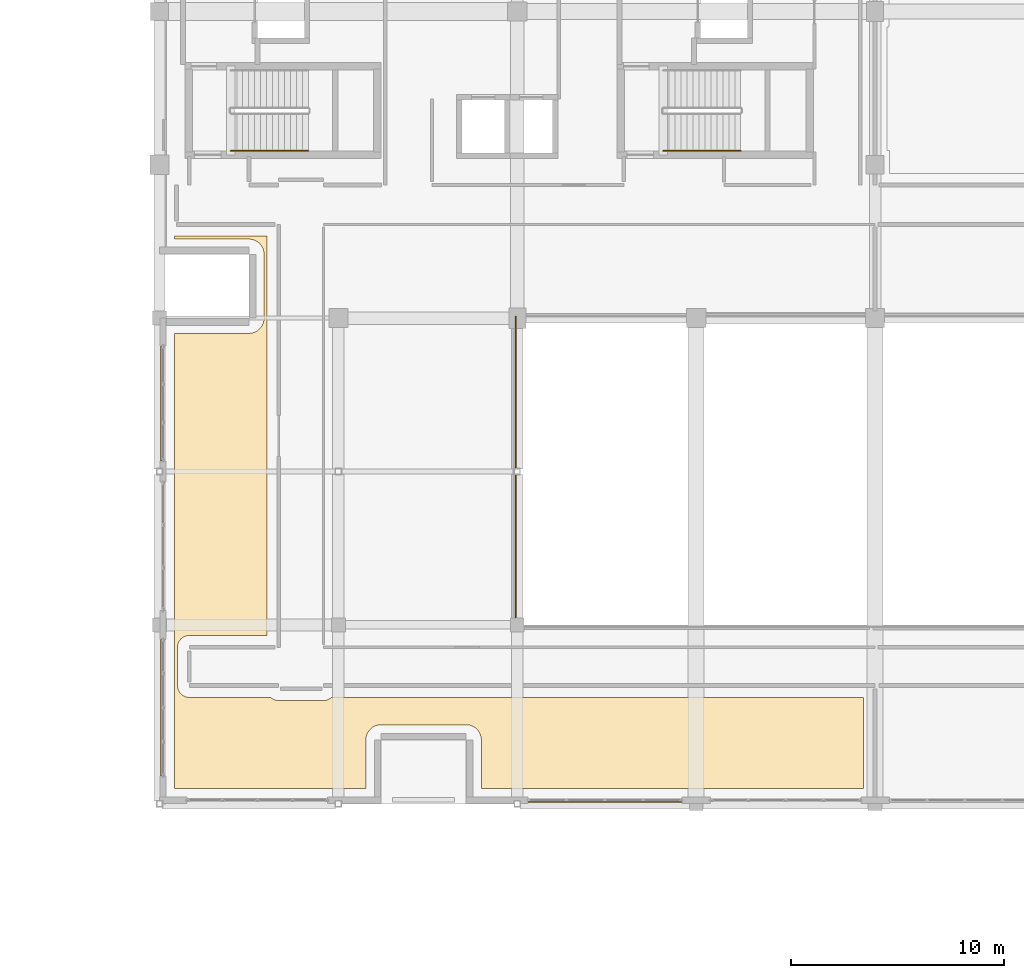
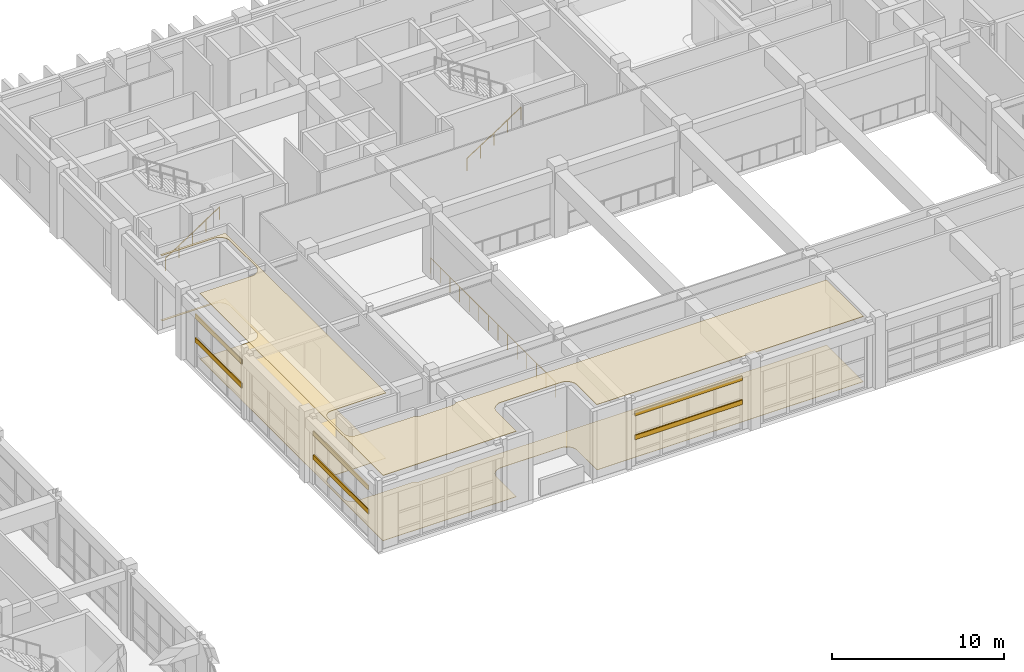
# One storey, part 72 of 78: 6 shading devices, 3 railings, 2 coverings.
"""IFC4 building model written with IfcOpenShell, lengths in metres."""

import ifcopenshell
import ifcopenshell.guid

model = None  # the IFC model being written
_history = None  # IfcOwnerHistory: only IFC2X3 demands one
_inside = {}  # id of a spatial element -> (the spatial element, [elements in it])
_under = {}  # id of a project, library or spatial element -> (it, [spatial elements below it])
_declared = {}  # id of a project -> (the project, [libraries it declares])
_typed = {}  # id of a type object -> (the type object, [elements of that type])
_made_of = {}  # id of a material, layer set ... -> (it, [elements and type objects made of it])


def new_model(schema):
    """Start an empty IFC model of exactly this schema.

    Asked for "IFC4X3", IfcOpenShell would pick the latest addendum, in which some entities
    have other attributes; the version numbers below select the first issue.
    IFC2X3 requires an IfcOwnerHistory on every rooted entity: one is made here for all.
    """
    global model, _history
    if schema == "IFC4X3":
        model = ifcopenshell.file(schema_version=(4, 3, 0, 0))
    else:
        model = ifcopenshell.file(schema=schema)
    _inside.clear()
    _under.clear()
    _declared.clear()
    _typed.clear()
    _made_of.clear()
    _history = None
    if model.schema == "IFC2X3":
        org = make("IfcOrganization", Name="unknown")
        user = make(
            "IfcPersonAndOrganization",
            ThePerson=make("IfcPerson", FamilyName="unknown"),
            TheOrganization=org,
        )
        app = make(
            "IfcApplication",
            ApplicationDeveloper=org,
            Version="unknown",
            ApplicationFullName="unknown",
            ApplicationIdentifier="unknown",
        )
        _history = make(
            "IfcOwnerHistory",
            OwningUser=user,
            OwningApplication=app,
            ChangeAction="ADDED",
            CreationDate=0,
        )
    return model


def make(cls, **values):
    """One entity of the class cls with the attributes given. An attribute that is None is left unset."""
    return model.create_entity(
        cls, **{name: value for name, value in values.items() if value is not None}
    )


def rooted(cls, **values):
    """An entity with a GlobalId (a new one), such as an element, a storey or a relation."""
    return make(cls, GlobalId=ifcopenshell.guid.new(), OwnerHistory=_history, **values)


def si_unit(unit_type, name, prefix=None):
    """IfcSIUnit, for example si_unit("LENGTHUNIT", "METRE", prefix="MILLI")."""
    return make("IfcSIUnit", UnitType=unit_type, Prefix=prefix, Name=name)


def assignment(units):
    """IfcUnitAssignment: the units of a project."""
    return None if units is None else make("IfcUnitAssignment", Units=units)


def point(xyz):
    """IfcCartesianPoint."""
    return None if xyz is None else make("IfcCartesianPoint", Coordinates=xyz)


def direction(xyz):
    """IfcDirection."""
    return None if xyz is None else make("IfcDirection", DirectionRatios=xyz)


def frame(location, z_axis=None, x_axis=None):
    """IfcAxis2Placement3D, a coordinate frame: its origin and axes. An axis left out is left unset."""
    return make(
        "IfcAxis2Placement3D",
        Location=point(location),
        Axis=direction(z_axis),
        RefDirection=direction(x_axis),
    )


def frame_2d(location, x_axis=None):
    """IfcAxis2Placement2D, a coordinate frame in the plane: its origin and x axis."""
    return make(
        "IfcAxis2Placement2D", Location=point(location), RefDirection=direction(x_axis)
    )


def origin():
    """The frame at (0, 0, 0) with its axes left unset."""
    return frame((0.0, 0.0, 0.0))


def origin_2d():
    """The frame at (0, 0) in the plane with its x axis left unset."""
    return frame_2d((0.0, 0.0))


def place(relative_to, where):
    """IfcLocalPlacement: puts the frame where relative to a parent placement (None: the world)."""
    return make(
        "IfcLocalPlacement", PlacementRelTo=relative_to, RelativePlacement=where
    )


def context(
    kind, dimensions, precision=None, world=None, true_north=None, identifier=None
):
    """IfcGeometricRepresentationContext, for example the 3D "Model" context."""
    return make(
        "IfcGeometricRepresentationContext",
        ContextIdentifier=identifier,
        ContextType=kind,
        CoordinateSpaceDimension=dimensions,
        Precision=precision,
        WorldCoordinateSystem=world,
        TrueNorth=true_north,
    )


def subcontext(parent, identifier, kind, view, scale=None):
    """IfcGeometricRepresentationSubContext, for example "Body" below "Model"."""
    return make(
        "IfcGeometricRepresentationSubContext",
        ContextIdentifier=identifier,
        ContextType=kind,
        ParentContext=parent,
        TargetScale=scale,
        TargetView=view,
    )


def project(units=None, contexts=None):
    """IfcProject with its units and contexts."""
    return rooted(
        "IfcProject",
        Name="project",
        RepresentationContexts=contexts,
        UnitsInContext=assignment(units),
    )


def spatial(cls, under=None, at=None, **own):
    """A site, building, storey or space (cls), placed at a placement, below another one or the project."""
    s = rooted(cls, ObjectPlacement=at, **own)
    if under is not None:
        _under.setdefault(under.id(), (under, []))[1].append(s)
    return s


def polyline(points):
    """IfcPolyline through the points."""
    return make("IfcPolyline", Points=[point(p) for p in points])


def profile(cls, at=None, kind="AREA", **sizes):
    """A parametric profile (cls). Its sizes go by their IFC names, for example OverallWidth=200.0."""
    return make(cls, ProfileType=kind, Position=at, **sizes)


def hollow_rectangle(**sizes):
    """IfcRectangleHollowProfileDef."""
    return profile("IfcRectangleHollowProfileDef", **sizes)


def circle(**sizes):
    """IfcCircleProfileDef."""
    return profile("IfcCircleProfileDef", **sizes)


def outline(outer, holes=None, kind="AREA"):
    """IfcArbitraryClosedProfileDef: a profile drawn as a closed curve; with holes, ...WithVoids."""
    if holes is None:
        return make("IfcArbitraryClosedProfileDef", ProfileType=kind, OuterCurve=outer)
    return make(
        "IfcArbitraryProfileDefWithVoids",
        ProfileType=kind,
        OuterCurve=outer,
        InnerCurves=holes,
    )


def extrude(swept, where, along, depth):
    """IfcExtrudedAreaSolid: the profile swept, set in the frame where, extruded along a direction by depth."""
    return make(
        "IfcExtrudedAreaSolid",
        SweptArea=swept,
        Position=where,
        ExtrudedDirection=direction(along),
        Depth=depth,
    )


def shape(context_of_items, identifier, shape_type, items):
    """IfcShapeRepresentation: the items that make up one representation, for example the "Body"."""
    return make(
        "IfcShapeRepresentation",
        ContextOfItems=context_of_items,
        RepresentationIdentifier=identifier,
        RepresentationType=shape_type,
        Items=items,
    )


def material(Name=None, Category=None):
    """IfcMaterial."""
    return make("IfcMaterial", Name=Name, Category=Category)


def layer(
    of_material, thickness, ventilated=None, Name=None, Category=None, Priority=None
):
    """IfcMaterialLayer: one layer of a wall or slab, of a material (None: an air gap)."""
    return make(
        "IfcMaterialLayer",
        Material=of_material,
        LayerThickness=thickness,
        IsVentilated=ventilated,
        Name=Name,
        Category=Category,
        Priority=Priority,
    )


def layer_set(layers, Name=None):
    """IfcMaterialLayerSet."""
    return make("IfcMaterialLayerSet", MaterialLayers=layers, LayerSetName=Name)


def material_profile(
    of_material, cross_section, Name=None, Category=None, Priority=None
):
    """IfcMaterialProfile: a cross section and its material."""
    return make(
        "IfcMaterialProfile",
        Name=Name,
        Material=of_material,
        Profile=cross_section,
        Priority=Priority,
        Category=Category,
    )


def profile_set(profiles, Name=None, composite=None):
    """IfcMaterialProfileSet."""
    return make(
        "IfcMaterialProfileSet",
        Name=Name,
        MaterialProfiles=profiles,
        CompositeProfile=composite,
    )


def made_of(thing, what):
    """Note that an element or type object is made of a material, layer set ...; save() writes the relation."""
    if what is not None:
        _made_of.setdefault(what.id(), (what, []))[1].append(thing)
    return thing


def type_object(cls, material=None, **own):
    """A type object (cls), such as IfcWallType, which elements share."""
    return made_of(rooted(cls, **own), material)


def element(
    cls,
    number,
    at=None,
    inside=None,
    cuts=None,
    type_object=None,
    material=None,
    context=None,
    identifier="Body",
    shape_type=None,
    held_by="IfcProductDefinitionShape",
    body=None,
    shapes=None,
    **own,
):
    """One element of the class cls, such as IfcWall. Its Tag is "e" and its number.

    at: its placement. inside: the storey or other place that contains it. cuts: it is an
    opening in that element (IfcRelVoidsElement). A single representation is given by context,
    identifier, shape_type and body (its items); several are given by shapes. held_by: the class
    of the entity that holds the representations. save() writes the other relations.
    """
    e = rooted(cls, Tag="e%d" % number, ObjectPlacement=at, **own)
    if body is not None:
        shapes = [shape(context, identifier, shape_type, body)]
    if shapes is not None:
        e.Representation = make(held_by, Representations=shapes)
    if inside is not None:
        _inside.setdefault(inside.id(), (inside, []))[1].append(e)
    if cuts is not None:
        rooted(
            "IfcRelVoidsElement", RelatingBuildingElement=cuts, RelatedOpeningElement=e
        )
    if type_object is not None:
        _typed.setdefault(type_object.id(), (type_object, []))[1].append(e)
    return made_of(e, material)


def aggregate(whole, parts):
    """IfcRelAggregates: a whole, such as a stair, and the parts it consists of."""
    return rooted("IfcRelAggregates", RelatingObject=whole, RelatedObjects=parts)


def save(model, path):
    """Write the relations noted so far, then the file.

    IfcRelAggregates (storeys below a building ...), IfcRelContainedInSpatialStructure (elements
    in a storey), IfcRelDefinesByType, IfcRelAssociatesMaterial and IfcRelDeclares: one each for
    every whole, place, type object, material and project.
    """
    for whole, parts in _under.values():
        aggregate(whole, parts)
    for where, things in _inside.values():
        rooted(
            "IfcRelContainedInSpatialStructure",
            RelatedElements=things,
            RelatingStructure=where,
        )
    for kind, things in _typed.values():
        rooted("IfcRelDefinesByType", RelatedObjects=things, RelatingType=kind)
    for what, things in _made_of.values():
        rooted("IfcRelAssociatesMaterial", RelatedObjects=things, RelatingMaterial=what)
    for by, libraries in _declared.values():
        rooted("IfcRelDeclares", RelatingContext=by, RelatedDefinitions=libraries)
    model.write(path)


model = new_model("IFC4")

# Units and contexts
model_context = context("Model", 3, precision=1e-05, world=origin(), true_north=direction((0.0, 1.0)))
body_context = subcontext(model_context, "Body", "Model", "MODEL_VIEW")
ifc_project = project(units=[si_unit("LENGTHUNIT", "METRE"), si_unit("AREAUNIT", "SQUARE_METRE"), si_unit("VOLUMEUNIT", "CUBIC_METRE"), si_unit("PLANEANGLEUNIT", "RADIAN"), si_unit("MASSUNIT", "GRAM", prefix="KILO")], contexts=[model_context])

# Site, building, storey
site_placement = place(None, origin())
site = spatial("IfcSite", under=ifc_project, at=site_placement, CompositionType="ELEMENT")
building_placement = place(site_placement, origin())
building = spatial("IfcBuilding", under=site, at=building_placement, Name="Quendrovan Civic Courthouse", CompositionType="ELEMENT")
storey_placement = place(building_placement, frame((0.0, 0.0, 10.199951171875)))
storey = spatial("IfcBuildingStorey", under=building, at=storey_placement, Name="L03", CompositionType="ELEMENT", Elevation=10.199951171875)

# Coverings
ifc_material_1 = material(Name="Perforated Western Red Cedar and mineral acoustic ceiling")
ifc_layer_1 = layer(ifc_material_1, 0.034912109375, Name="Perforated Western Red Cedar and mineral acoustic ceiling")
ifc_layer_set_1 = layer_set([ifc_layer_1], Name="Perforated Western Red Cedar and mineral acoustic ceiling")
covering_type_1 = type_object("IfcCoveringType", Name="COV-CEIL-ACOUSTIC", PredefinedType="CEILING", material=ifc_layer_set_1)
covering_1_placement = place(storey_placement, frame((0.0, 0.0, 4.64501953125)))
element("IfcCovering", 1, at=covering_1_placement, inside=storey, type_object=covering_type_1, Name="L03 Criminal Courtroom Acoustic Ceiling", PredefinedType="CEILING", context=body_context, shape_type="SweptSolid", body=[
    extrude(outline(polyline([(43.527587890625, 68.32958984375), (43.515869140625, 68.319091796875), (43.48095703125, 68.2841796875), (43.47021484375, 68.2724609375), (43.433837890625, 68.22802734375), (43.424560546875, 68.215576171875), (43.3955078125, 68.171875), (43.38720703125, 68.158447265625), (43.361572265625, 68.110107421875), (43.354736328125, 68.095947265625), (43.33447265625, 68.046630859375), (43.3291015625, 68.03173828125), (43.313232421875, 67.979736328125), (43.3095703125, 67.964599609375), (43.299072265625, 67.911865234375), (43.296875, 67.896484375), (43.29150390625, 67.84375), (43.290771484375, 67.827880859375), (43.2900390625, 67.800048828125), (43.2900390625, 65.510009765625), (34.31005859375, 65.510009765625), (34.31005859375, 86.889892578125), (37.800048828125, 86.889892578125), (37.827880859375, 86.890625), (37.84375, 86.8916015625), (37.896484375, 86.896728515625), (37.911865234375, 86.899169921875), (37.964599609375, 86.909423828125), (37.979736328125, 86.913330078125), (38.03173828125, 86.92919921875), (38.046630859375, 86.934326171875), (38.095947265625, 86.954833984375), (38.110107421875, 86.96142578125), (38.158447265625, 86.9873046875), (38.171875, 86.995361328125), (38.215576171875, 87.0244140625), (38.22802734375, 87.03369140625), (38.2724609375, 87.0703125), (38.2841796875, 87.080810546875), (38.319091796875, 87.115966796875), (38.32958984375, 87.12744140625), (38.3662109375, 87.171875), (38.37548828125, 87.1845703125), (38.404541015625, 87.22802734375), (38.41259765625, 87.24169921875), (38.4384765625, 87.289794921875), (38.4453125, 87.30419921875), (38.465576171875, 87.353515625), (38.470947265625, 87.3681640625), (38.48681640625, 87.420166015625), (38.490478515625, 87.435302734375), (38.5009765625, 87.488037109375), (38.503173828125, 87.503662109375), (38.508544921875, 87.556396484375), (38.50927734375, 87.572021484375), (38.510009765625, 87.60009765625), (38.510009765625, 90.60009765625), (38.50927734375, 90.6279296875), (38.508544921875, 90.643798828125), (38.503173828125, 90.6962890625), (38.5009765625, 90.7119140625), (38.490478515625, 90.7646484375), (38.48681640625, 90.77978515625), (38.470947265625, 90.831787109375), (38.465576171875, 90.8466796875), (38.4453125, 90.89599609375), (38.4384765625, 90.91015625), (38.41259765625, 90.95849609375), (38.404541015625, 90.971923828125), (38.37548828125, 91.015380859375), (38.3662109375, 91.028076171875), (38.32958984375, 91.072509765625), (38.319091796875, 91.083984375), (38.2841796875, 91.119140625), (38.2724609375, 91.129638671875), (38.22802734375, 91.166259765625), (38.215576171875, 91.175537109375), (38.171875, 91.20458984375), (38.158447265625, 91.212646484375), (38.110107421875, 91.238525390625), (38.095947265625, 91.2451171875), (38.046630859375, 91.265625), (38.03173828125, 91.27099609375), (37.979736328125, 91.28662109375), (37.964599609375, 91.29052734375), (37.911865234375, 91.30078125), (37.896484375, 91.30322265625), (37.84375, 91.30859375), (37.827880859375, 91.309326171875), (37.800048828125, 91.31005859375), (34.31005859375, 91.31005859375), (34.31005859375, 91.4580078125), (34.34619140625, 91.45263671875), (34.39990234375, 91.449951171875), (38.64990234375, 91.449951171875), (38.64990234375, 72.699951171875), (35.0, 72.699951171875), (34.946044921875, 72.697509765625), (34.892578125, 72.689453125), (34.84033203125, 72.67626953125), (34.78955078125, 72.658203125), (34.74072265625, 72.635009765625), (34.6943359375, 72.607421875), (34.651123046875, 72.5751953125), (34.611083984375, 72.538818359375), (34.57470703125, 72.498779296875), (34.542724609375, 72.45556640625), (34.514892578125, 72.4091796875), (34.491943359375, 72.360595703125), (34.4736328125, 72.309814453125), (34.460693359375, 72.25732421875), (34.45263671875, 72.203857421875), (34.449951171875, 72.14990234375), (34.449951171875, 70.35009765625), (34.45263671875, 70.296142578125), (34.460693359375, 70.24267578125), (34.4736328125, 70.190185546875), (34.491943359375, 70.139404296875), (34.514892578125, 70.0908203125), (34.542724609375, 70.04443359375), (34.57470703125, 70.001220703125), (34.611083984375, 69.961181640625), (34.651123046875, 69.9248046875), (34.6943359375, 69.892578125), (34.74072265625, 69.864990234375), (34.78955078125, 69.841796875), (34.84033203125, 69.82373046875), (34.892578125, 69.810546875), (34.946044921875, 69.802490234375), (35.0, 69.800048828125), (38.8232421875, 69.800048828125), (38.85107421875, 69.77490234375), (38.894287109375, 69.74267578125), (38.940673828125, 69.71484375), (38.989501953125, 69.69189453125), (39.040283203125, 69.673583984375), (39.0927734375, 69.66064453125), (39.14599609375, 69.652587890625), (39.199951171875, 69.64990234375), (41.300048828125, 69.64990234375), (41.35400390625, 69.652587890625), (41.4072265625, 69.66064453125), (41.459716796875, 69.673583984375), (41.510498046875, 69.69189453125), (41.559326171875, 69.71484375), (41.605712890625, 69.74267578125), (41.64892578125, 69.77490234375), (41.6767578125, 69.800048828125), (66.64990234375, 69.800048828125), (66.64990234375, 65.510009765625), (48.7099609375, 65.510009765625), (48.7099609375, 67.800048828125), (48.709228515625, 67.827880859375), (48.70849609375, 67.84375), (48.703125, 67.896484375), (48.700927734375, 67.911865234375), (48.6904296875, 67.964599609375), (48.686767578125, 67.979736328125), (48.6708984375, 68.03173828125), (48.66552734375, 68.046630859375), (48.645263671875, 68.095947265625), (48.638427734375, 68.110107421875), (48.61279296875, 68.158447265625), (48.6044921875, 68.171875), (48.575439453125, 68.215576171875), (48.566162109375, 68.22802734375), (48.52978515625, 68.2724609375), (48.51904296875, 68.2841796875), (48.484130859375, 68.319091796875), (48.472412109375, 68.32958984375), (48.427978515625, 68.3662109375), (48.41552734375, 68.37548828125), (48.371826171875, 68.404541015625), (48.3583984375, 68.41259765625), (48.31005859375, 68.4384765625), (48.2958984375, 68.4453125), (48.24658203125, 68.465576171875), (48.231689453125, 68.470947265625), (48.1796875, 68.48681640625), (48.16455078125, 68.490478515625), (48.11181640625, 68.5009765625), (48.096435546875, 68.503173828125), (48.043701171875, 68.508544921875), (48.028076171875, 68.50927734375), (48.0, 68.510009765625), (44.0, 68.510009765625), (43.971923828125, 68.50927734375), (43.956298828125, 68.508544921875), (43.903564453125, 68.503173828125), (43.88818359375, 68.5009765625), (43.83544921875, 68.490478515625), (43.8203125, 68.48681640625), (43.768310546875, 68.470947265625), (43.75341796875, 68.465576171875), (43.7041015625, 68.4453125), (43.68994140625, 68.4384765625), (43.6416015625, 68.41259765625), (43.628173828125, 68.404541015625), (43.58447265625, 68.37548828125), (43.572021484375, 68.3662109375), (43.527587890625, 68.32958984375)])), origin(), (0.0, 0.0, 1.0), 0.034912109375),
])
ifc_material_2 = material(Name="Solid oak courtroom parquet flooring")
ifc_layer_2 = layer(ifc_material_2, 0.02490234375, Name="Solid oak courtroom parquet flooring")
ifc_layer_set_2 = layer_set([ifc_layer_2], Name="Solid oak courtroom parquet flooring")
covering_type_2 = type_object("IfcCoveringType", Name="COV-FLOR-TIMBER", PredefinedType="FLOORING", material=ifc_layer_set_2)
covering_2_placement = place(storey_placement, origin())
element("IfcCovering", 2, at=covering_2_placement, inside=storey, type_object=covering_type_2, Name="L03 Criminal Courtroom Finish Flooring", PredefinedType="FLOORING", context=body_context, shape_type="SweptSolid", body=[
    extrude(outline(polyline([(43.527587890625, 68.32958984375), (43.515869140625, 68.319091796875), (43.48095703125, 68.2841796875), (43.47021484375, 68.2724609375), (43.433837890625, 68.22802734375), (43.424560546875, 68.215576171875), (43.3955078125, 68.171875), (43.38720703125, 68.158447265625), (43.361572265625, 68.110107421875), (43.354736328125, 68.095947265625), (43.33447265625, 68.046630859375), (43.3291015625, 68.03173828125), (43.313232421875, 67.979736328125), (43.3095703125, 67.964599609375), (43.299072265625, 67.911865234375), (43.296875, 67.896484375), (43.29150390625, 67.84375), (43.290771484375, 67.827880859375), (43.2900390625, 67.800048828125), (43.2900390625, 65.510009765625), (34.31005859375, 65.510009765625), (34.31005859375, 86.889892578125), (37.800048828125, 86.889892578125), (37.827880859375, 86.890625), (37.84375, 86.8916015625), (37.896484375, 86.896728515625), (37.911865234375, 86.899169921875), (37.964599609375, 86.909423828125), (37.979736328125, 86.913330078125), (38.03173828125, 86.92919921875), (38.046630859375, 86.934326171875), (38.095947265625, 86.954833984375), (38.110107421875, 86.96142578125), (38.158447265625, 86.9873046875), (38.171875, 86.995361328125), (38.215576171875, 87.0244140625), (38.22802734375, 87.03369140625), (38.2724609375, 87.0703125), (38.2841796875, 87.080810546875), (38.319091796875, 87.115966796875), (38.32958984375, 87.12744140625), (38.3662109375, 87.171875), (38.37548828125, 87.1845703125), (38.404541015625, 87.22802734375), (38.41259765625, 87.24169921875), (38.4384765625, 87.289794921875), (38.4453125, 87.30419921875), (38.465576171875, 87.353515625), (38.470947265625, 87.3681640625), (38.48681640625, 87.420166015625), (38.490478515625, 87.435302734375), (38.5009765625, 87.488037109375), (38.503173828125, 87.503662109375), (38.508544921875, 87.556396484375), (38.50927734375, 87.572021484375), (38.510009765625, 87.60009765625), (38.510009765625, 90.60009765625), (38.50927734375, 90.6279296875), (38.508544921875, 90.643798828125), (38.503173828125, 90.6962890625), (38.5009765625, 90.7119140625), (38.490478515625, 90.7646484375), (38.48681640625, 90.77978515625), (38.470947265625, 90.831787109375), (38.465576171875, 90.8466796875), (38.4453125, 90.89599609375), (38.4384765625, 90.91015625), (38.41259765625, 90.95849609375), (38.404541015625, 90.971923828125), (38.37548828125, 91.015380859375), (38.3662109375, 91.028076171875), (38.32958984375, 91.072509765625), (38.319091796875, 91.083984375), (38.2841796875, 91.119140625), (38.2724609375, 91.129638671875), (38.22802734375, 91.166259765625), (38.215576171875, 91.175537109375), (38.171875, 91.20458984375), (38.158447265625, 91.212646484375), (38.110107421875, 91.238525390625), (38.095947265625, 91.2451171875), (38.046630859375, 91.265625), (38.03173828125, 91.27099609375), (37.979736328125, 91.28662109375), (37.964599609375, 91.29052734375), (37.911865234375, 91.30078125), (37.896484375, 91.30322265625), (37.84375, 91.30859375), (37.827880859375, 91.309326171875), (37.800048828125, 91.31005859375), (34.31005859375, 91.31005859375), (34.31005859375, 91.4580078125), (34.34619140625, 91.45263671875), (34.39990234375, 91.449951171875), (38.64990234375, 91.449951171875), (38.64990234375, 72.699951171875), (35.0, 72.699951171875), (34.946044921875, 72.697509765625), (34.892578125, 72.689453125), (34.84033203125, 72.67626953125), (34.78955078125, 72.658203125), (34.74072265625, 72.635009765625), (34.6943359375, 72.607421875), (34.651123046875, 72.5751953125), (34.611083984375, 72.538818359375), (34.57470703125, 72.498779296875), (34.542724609375, 72.45556640625), (34.514892578125, 72.4091796875), (34.491943359375, 72.360595703125), (34.4736328125, 72.309814453125), (34.460693359375, 72.25732421875), (34.45263671875, 72.203857421875), (34.449951171875, 72.14990234375), (34.449951171875, 70.35009765625), (34.45263671875, 70.296142578125), (34.460693359375, 70.24267578125), (34.4736328125, 70.190185546875), (34.491943359375, 70.139404296875), (34.514892578125, 70.0908203125), (34.542724609375, 70.04443359375), (34.57470703125, 70.001220703125), (34.611083984375, 69.961181640625), (34.651123046875, 69.9248046875), (34.6943359375, 69.892578125), (34.74072265625, 69.864990234375), (34.78955078125, 69.841796875), (34.84033203125, 69.82373046875), (34.892578125, 69.810546875), (34.946044921875, 69.802490234375), (35.0, 69.800048828125), (38.8232421875, 69.800048828125), (38.85107421875, 69.77490234375), (38.894287109375, 69.74267578125), (38.940673828125, 69.71484375), (38.989501953125, 69.69189453125), (39.040283203125, 69.673583984375), (39.0927734375, 69.66064453125), (39.14599609375, 69.652587890625), (39.199951171875, 69.64990234375), (41.300048828125, 69.64990234375), (41.35400390625, 69.652587890625), (41.4072265625, 69.66064453125), (41.459716796875, 69.673583984375), (41.510498046875, 69.69189453125), (41.559326171875, 69.71484375), (41.605712890625, 69.74267578125), (41.64892578125, 69.77490234375), (41.6767578125, 69.800048828125), (66.64990234375, 69.800048828125), (66.64990234375, 65.510009765625), (48.7099609375, 65.510009765625), (48.7099609375, 67.800048828125), (48.709228515625, 67.827880859375), (48.70849609375, 67.84375), (48.703125, 67.896484375), (48.700927734375, 67.911865234375), (48.6904296875, 67.964599609375), (48.686767578125, 67.979736328125), (48.6708984375, 68.03173828125), (48.66552734375, 68.046630859375), (48.645263671875, 68.095947265625), (48.638427734375, 68.110107421875), (48.61279296875, 68.158447265625), (48.6044921875, 68.171875), (48.575439453125, 68.215576171875), (48.566162109375, 68.22802734375), (48.52978515625, 68.2724609375), (48.51904296875, 68.2841796875), (48.484130859375, 68.319091796875), (48.472412109375, 68.32958984375), (48.427978515625, 68.3662109375), (48.41552734375, 68.37548828125), (48.371826171875, 68.404541015625), (48.3583984375, 68.41259765625), (48.31005859375, 68.4384765625), (48.2958984375, 68.4453125), (48.24658203125, 68.465576171875), (48.231689453125, 68.470947265625), (48.1796875, 68.48681640625), (48.16455078125, 68.490478515625), (48.11181640625, 68.5009765625), (48.096435546875, 68.503173828125), (48.043701171875, 68.508544921875), (48.028076171875, 68.50927734375), (48.0, 68.510009765625), (44.0, 68.510009765625), (43.971923828125, 68.50927734375), (43.956298828125, 68.508544921875), (43.903564453125, 68.503173828125), (43.88818359375, 68.5009765625), (43.83544921875, 68.490478515625), (43.8203125, 68.48681640625), (43.768310546875, 68.470947265625), (43.75341796875, 68.465576171875), (43.7041015625, 68.4453125), (43.68994140625, 68.4384765625), (43.6416015625, 68.41259765625), (43.628173828125, 68.404541015625), (43.58447265625, 68.37548828125), (43.572021484375, 68.3662109375), (43.527587890625, 68.32958984375)])), origin(), (0.0, 0.0, 1.0), 0.025146484375),
])

# Railings
ifc_material_3 = material(Name="Bronze anodised aluminium", Category="aluminium")
railing_type_1 = type_object("IfcRailingType", Name="RL-ATR-GUARD1100", PredefinedType="GUARDRAIL", material=ifc_material_3)
railing_1_placement = place(storey_placement, frame((50.320068359375, 87.679931640625, 0.0)))
element("IfcRailing", 3, at=railing_1_placement, inside=storey, type_object=railing_type_1, Name="L03 Atrium and Well Perimeter Guardrail 023", PredefinedType="GUARDRAIL", context=body_context, shape_type="SweptSolid", body=[
    extrude(circle(Radius=0.02392578125, at=origin_2d()), frame((0.0, 0.0, 1.09619140625), z_axis=(0.0, -1.0, 0.0), x_axis=(1.0, 0.0, 0.0)), (0.0, 0.0, 1.0), 14.559814453125),
    extrude(circle(Radius=0.02099609375, at=origin_2d()), origin(), (0.0, 0.0, 1.0), 1.072021484375),
    extrude(circle(Radius=0.02099609375, at=origin_2d()), frame((0.0, -1.119873046875, 0.0)), (0.0, 0.0, 1.0), 1.072021484375),
    extrude(circle(Radius=0.02099609375, at=origin_2d()), frame((0.0, -2.239990234375, 0.0)), (0.0, 0.0, 1.0), 1.072021484375),
    extrude(circle(Radius=0.02099609375, at=origin_2d()), frame((0.0, -3.35986328125, 0.0)), (0.0, 0.0, 1.0), 1.072021484375),
    extrude(circle(Radius=0.02099609375, at=origin_2d()), frame((0.0, -4.47998046875, 0.0)), (0.0, 0.0, 1.0), 1.072021484375),
    extrude(circle(Radius=0.02099609375, at=origin_2d()), frame((0.0, -5.599853515625, 0.0)), (0.0, 0.0, 1.0), 1.072021484375),
    extrude(circle(Radius=0.02099609375, at=origin_2d()), frame((0.0, -6.719970703125, 0.0)), (0.0, 0.0, 1.0), 1.072021484375),
    extrude(circle(Radius=0.02099609375, at=origin_2d()), frame((0.0, -7.83984375, 0.0)), (0.0, 0.0, 1.0), 1.072021484375),
    extrude(circle(Radius=0.02099609375, at=origin_2d()), frame((0.0, -8.9599609375, 0.0)), (0.0, 0.0, 1.0), 1.072021484375),
    extrude(circle(Radius=0.02099609375, at=origin_2d()), frame((0.0, -10.079833984375, 0.0)), (0.0, 0.0, 1.0), 1.072021484375),
    extrude(circle(Radius=0.02099609375, at=origin_2d()), frame((0.0, -11.199951171875, 0.0)), (0.0, 0.0, 1.0), 1.072021484375),
    extrude(circle(Radius=0.02099609375, at=origin_2d()), frame((0.0, -12.31982421875, 0.0)), (0.0, 0.0, 1.0), 1.072021484375),
    extrude(circle(Radius=0.02099609375, at=origin_2d()), frame((0.0, -13.43994140625, 0.0)), (0.0, 0.0, 1.0), 1.072021484375),
    extrude(circle(Radius=0.02099609375, at=origin_2d()), frame((0.0, -14.559814453125, 0.0)), (0.0, 0.0, 1.0), 1.072021484375),
])
railing_type_2 = type_object("IfcRailingType", Name="RL-STR-HAND900", PredefinedType="HANDRAIL", material=ifc_material_3)
railing_2_placement = place(storey_placement, frame((36.949951171875, 95.449951171875, 0.18212890625)))
element("IfcRailing", 4, at=railing_2_placement, inside=storey, type_object=railing_type_2, Name="L03 ST1 stair handrail 1", PredefinedType="HANDRAIL", context=body_context, shape_type="SweptSolid", body=[
    extrude(circle(Radius=0.02392578125, at=origin_2d()), frame((0.0, 0.0, 0.8759765625), z_axis=(0.83825089185, 0.0, 0.545284735081), x_axis=(0.0, 1.0, 0.0)), (0.0, 0.0, 1.0), 4.342529296875),
    extrude(circle(Radius=0.02099609375, at=origin_2d()), origin(), (0.0, 0.0, 1.0), 0.851806640625),
    extrude(circle(Radius=0.02099609375, at=origin_2d()), frame((0.91015625, 0.0, 0.592041015625)), (0.0, 0.0, 1.0), 0.851806640625),
    extrude(circle(Radius=0.02099609375, at=origin_2d()), frame((1.820068359375, 0.0, 1.18408203125)), (0.0, 0.0, 1.0), 0.851806640625),
    extrude(circle(Radius=0.02099609375, at=origin_2d()), frame((2.72998046875, 0.0, 1.77587890625)), (0.0, 0.0, 1.0), 0.851806640625),
    extrude(circle(Radius=0.02099609375, at=origin_2d()), frame((3.64013671875, 0.0, 2.367919921875)), (0.0, 0.0, 1.0), 0.851806640625),
])
railing_3_placement = place(storey_placement, frame((57.25, 95.449951171875, 0.18212890625)))
element("IfcRailing", 5, at=railing_3_placement, inside=storey, type_object=railing_type_2, Name="L03 ST2 stair handrail 1", PredefinedType="HANDRAIL", context=body_context, shape_type="SweptSolid", body=[
    extrude(circle(Radius=0.02392578125, at=origin_2d()), frame((0.0, 0.0, 0.8759765625), z_axis=(0.838234174257, 0.0, 0.545310433706), x_axis=(0.0, 1.0, 0.0)), (0.0, 0.0, 1.0), 4.34228515625),
    extrude(circle(Radius=0.02099609375, at=origin_2d()), origin(), (0.0, 0.0, 1.0), 0.851806640625),
    extrude(circle(Radius=0.02099609375, at=origin_2d()), frame((0.909912109375, 0.0, 0.592041015625)), (0.0, 0.0, 1.0), 0.851806640625),
    extrude(circle(Radius=0.02099609375, at=origin_2d()), frame((1.81982421875, 0.0, 1.18408203125)), (0.0, 0.0, 1.0), 0.851806640625),
    extrude(circle(Radius=0.02099609375, at=origin_2d()), frame((2.72998046875, 0.0, 1.77587890625)), (0.0, 0.0, 1.0), 0.851806640625),
    extrude(circle(Radius=0.02099609375, at=origin_2d()), frame((3.639892578125, 0.0, 2.367919921875)), (0.0, 0.0, 1.0), 0.851806640625),
])

# Shading devices
ifc_material_profile = material_profile(ifc_material_3, hollow_rectangle(XDim=0.06494140625, YDim=0.320068359375, WallThickness=0.0048828125, at=origin_2d()), Name="AL-LOUVRE-65x320")
ifc_profile_set = profile_set([ifc_material_profile], Name="Bronze anodised aluminium")
shading_device_type = type_object("IfcShadingDeviceType", Name="SHD-STORM-LOUVRE", PredefinedType="JALOUSIE", material=ifc_profile_set)
for number, where, z_axis, x_axis, name in (
    (6, (58.125, 64.885009765625, 1.949951171875), (-1.0, 0.0, 0.0), (0.0, -1.0, 0.0), "L03 Bronze Hurricane Storm Louvre SLV-135"),
    (7, (58.125, 64.885009765625, 3.650146484375), (-1.0, 0.0, 0.0), (0.0, -1.0, 0.0), "L03 Bronze Hurricane Storm Louvre SLV-136"),
):
    element("IfcShadingDevice", number, at=place(storey_placement, frame(where, z_axis=z_axis, x_axis=x_axis)), inside=storey, type_object=shading_device_type, Name=name, PredefinedType="JALOUSIE", context=body_context, shape_type="SweptSolid", body=[
        extrude(hollow_rectangle(XDim=0.06494140625, YDim=0.320068359375, WallThickness=0.0048828125, at=origin_2d()), origin(), (0.0, 0.0, 1.0), 7.22509765625),
    ])
for number, where, z_axis, x_axis, name in (
    (8, (33.68505859375, 66.10009765625, 1.949951171875), (0.0, 1.0, 0.0), (-1.0, 0.0, 0.0), "L03 Bronze Hurricane Storm Louvre SLV-137"),
    (9, (33.68505859375, 66.10009765625, 3.650146484375), (0.0, 1.0, 0.0), (-1.0, 0.0, 0.0), "L03 Bronze Hurricane Storm Louvre SLV-138"),
):
    element("IfcShadingDevice", number, at=place(storey_placement, frame(where, z_axis=z_axis, x_axis=x_axis)), inside=storey, type_object=shading_device_type, Name=name, PredefinedType="JALOUSIE", context=body_context, shape_type="SweptSolid", body=[
        extrude(hollow_rectangle(XDim=0.06494140625, YDim=0.320068359375, WallThickness=0.0048828125, at=origin_2d()), origin(), (0.0, 0.0, 1.0), 6.4248046875),
    ])
for number, where, z_axis, x_axis, name in (
    (10, (33.68505859375, 80.89990234375, 1.949951171875), (0.0, 1.0, 0.0), (-1.0, 0.0, 0.0), "L03 Bronze Hurricane Storm Louvre SLV-139"),
    (11, (33.68505859375, 80.89990234375, 3.650146484375), (0.0, 1.0, 0.0), (-1.0, 0.0, 0.0), "L03 Bronze Hurricane Storm Louvre SLV-140"),
):
    element("IfcShadingDevice", number, at=place(storey_placement, frame(where, z_axis=z_axis, x_axis=x_axis)), inside=storey, type_object=shading_device_type, Name=name, PredefinedType="JALOUSIE", context=body_context, shape_type="SweptSolid", body=[
        extrude(hollow_rectangle(XDim=0.06494140625, YDim=0.320068359375, WallThickness=0.0048828125, at=origin_2d()), origin(), (0.0, 0.0, 1.0), 5.400146484375),
    ])

save(model, "model.ifc")
